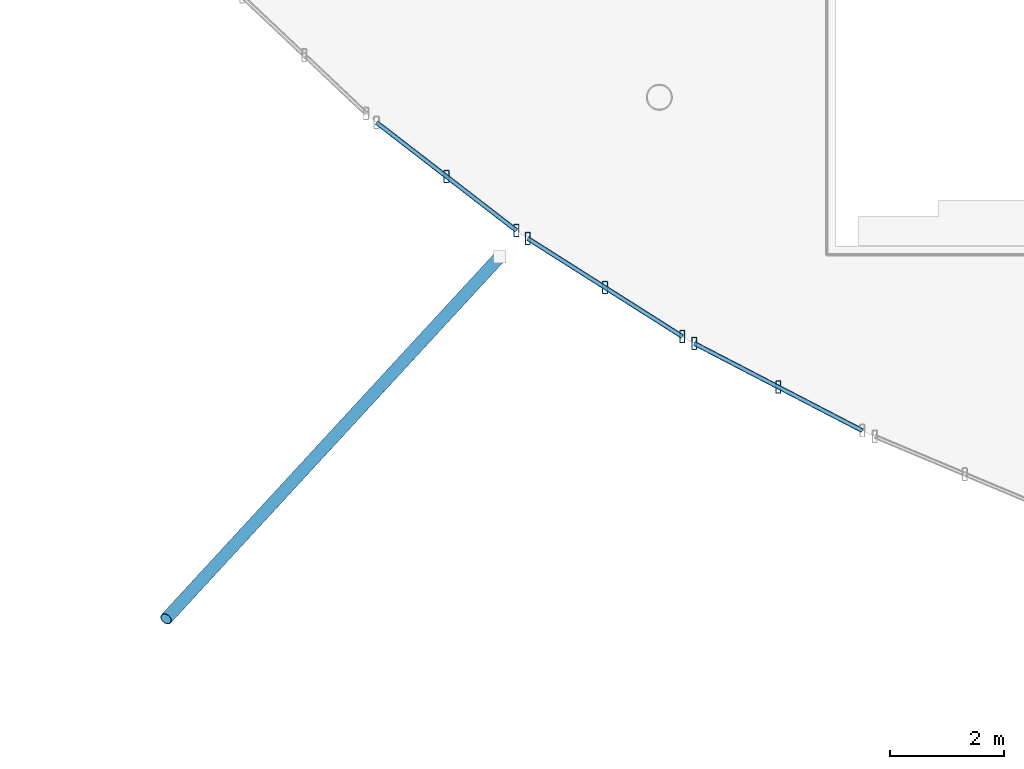
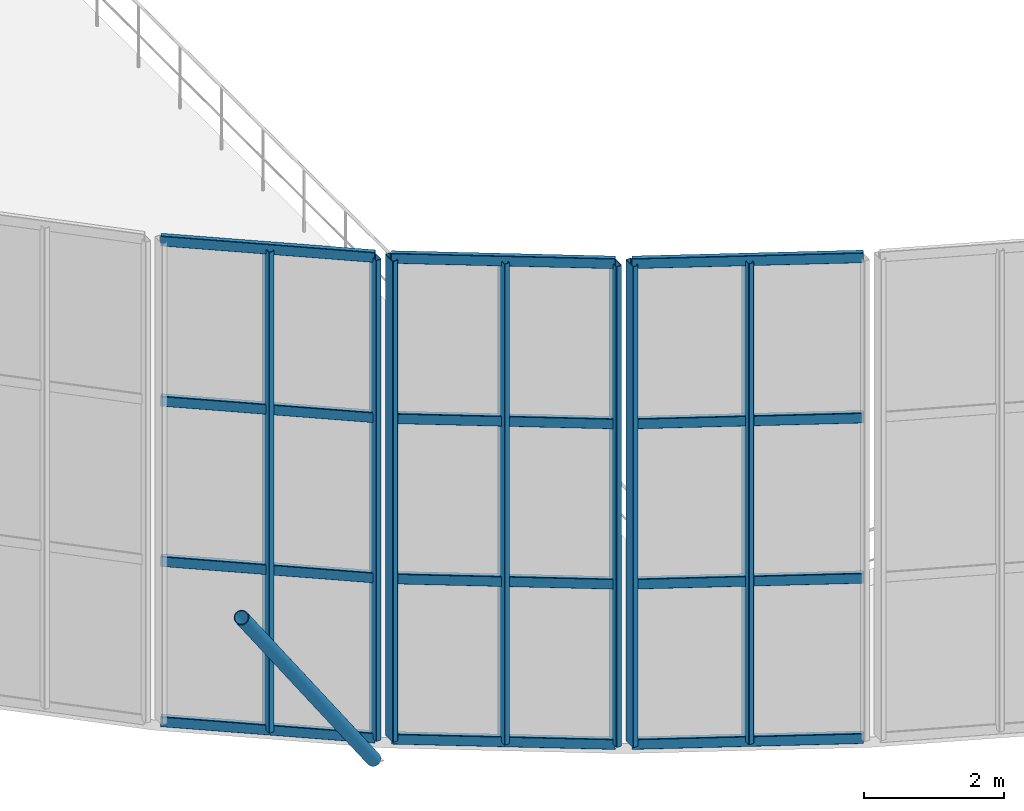
# One storey, part 20 of 109: 20 members, 3 elements without a shape of their own.
"""IFC4 building model written with IfcOpenShell, lengths in metres."""

from ifc_helpers import new_model, si_unit, derived_unit, direction, frame, origin, origin_2d, place, context, subcontext, project, spatial, hollow_rectangle, hollow_circle, extrude, material, material_profile, profile_set, type_object, element, aggregate, save


model = new_model("IFC4")

# Units and contexts
model_context = context("Model", 3, precision=1e-05, world=origin(), true_north=direction((0.0, 1.0)))
body_context = subcontext(model_context, "Body", "Model", "MODEL_VIEW")
ifc_project = project(units=[si_unit("LENGTHUNIT", "METRE"), si_unit("AREAUNIT", "SQUARE_METRE"), si_unit("VOLUMEUNIT", "CUBIC_METRE"), si_unit("PLANEANGLEUNIT", "RADIAN"), si_unit("MASSUNIT", "GRAM", prefix="KILO"), derived_unit("THERMALTRANSMITTANCEUNIT", [(si_unit("MASSUNIT", "GRAM", prefix="KILO"), 1), (si_unit("TIMEUNIT", "SECOND"), -3), (si_unit("THERMODYNAMICTEMPERATUREUNIT", "KELVIN"), -1)])], contexts=[model_context])

# Site, building, storey
site_placement = place(None, origin())
site = spatial("IfcSite", under=ifc_project, at=site_placement, CompositionType="ELEMENT")
building_placement = place(site_placement, origin())
building = spatial("IfcBuilding", under=site, at=building_placement, Name="Kharveza Railside Sports Centre", CompositionType="ELEMENT")
storey_placement = place(building_placement, frame((0.0, 0.0, 4.5)))
storey = spatial("IfcBuildingStorey", under=building, at=storey_placement, Name="L01", CompositionType="ELEMENT", Elevation=4.5)

# Curtain wall, members
ifc_material_1 = material(Name="Low-E solar-control laminated glass", Category="glass")
curtain_wall_type = type_object("IfcCurtainWallType", Name="CW-DR01", PredefinedType="NOTDEFINED", material=ifc_material_1)
curtain_wall_1_placement = place(storey_placement, origin())
curtain_wall_1 = element("IfcCurtainWall", 1, at=curtain_wall_1_placement, inside=storey, type_object=curtain_wall_type, Name="CW-DRUM-40", PredefinedType="NOTDEFINED")
ifc_material_2 = material(Name="Anodised aluminium 6063-T6", Category="aluminium")
ifc_material_profile_1 = material_profile(ifc_material_2, hollow_rectangle(XDim=0.090087890625, YDim=0.219970703125, WallThickness=0.008056640625, InnerFilletRadius=0.008056640625, OuterFilletRadius=0.01611328125, at=origin_2d()), Name="RHS 90x220x8.0")
ifc_profile_set_1 = profile_set([ifc_material_profile_1], Name="Anodised aluminium 6063-T6")
member_type_1 = type_object("IfcMemberType", Name="CW-ML01", PredefinedType="MULLION", material=ifc_profile_set_1)
member_1_placement = place(storey_placement, frame((24.997802734375, 31.618896484375, 0.0), z_axis=(0.0, 0.0, 1.0), x_axis=(1.0, 0.0, 0.0)))
member_1 = element("IfcMember", 2, at=member_1_placement, type_object=member_type_1, Name="CW-DRUM-40-ML2", PredefinedType="MULLION", context=body_context, shape_type="SweptSolid", body=[
    extrude(hollow_rectangle(XDim=0.090087890625, YDim=0.219970703125, WallThickness=0.008056640625, InnerFilletRadius=0.008056640625, OuterFilletRadius=0.01611328125, at=origin_2d()), origin(), (0.0, 0.0, 1.0), 8.39990234375),
])
member_2_placement = place(storey_placement, frame((26.220703125, 30.67431640625, 0.0), z_axis=(0.0, 0.0, 1.0), x_axis=(1.0, 0.0, 0.0)))
member_2 = element("IfcMember", 3, at=member_2_placement, type_object=member_type_1, Name="CW-DRUM-40-ML3", PredefinedType="MULLION", context=body_context, shape_type="SweptSolid", body=[
    extrude(hollow_rectangle(XDim=0.090087890625, YDim=0.219970703125, WallThickness=0.008056640625, InnerFilletRadius=0.008056640625, OuterFilletRadius=0.01611328125, at=origin_2d()), origin(), (0.0, 0.0, 1.0), 8.39990234375),
])

curtain_wall_2_placement = place(storey_placement, origin())
curtain_wall_2 = element("IfcCurtainWall", 4, at=curtain_wall_2_placement, inside=storey, type_object=curtain_wall_type, Name="CW-DRUM-41", PredefinedType="NOTDEFINED")
member_3_placement = place(storey_placement, frame((26.4169921875, 30.53662109375, 0.0), z_axis=(0.0, 0.0, 1.0), x_axis=(1.0, 0.0, 0.0)))
member_3 = element("IfcMember", 5, at=member_3_placement, type_object=member_type_1, Name="CW-DRUM-41-ML1", PredefinedType="MULLION", context=body_context, shape_type="SweptSolid", body=[
    extrude(hollow_rectangle(XDim=0.090087890625, YDim=0.219970703125, WallThickness=0.008056640625, InnerFilletRadius=0.008056640625, OuterFilletRadius=0.01611328125, at=origin_2d()), origin(), (0.0, 0.0, 1.0), 8.39990234375),
])
member_4_placement = place(storey_placement, frame((27.77001953125, 29.678466796875, 0.0), z_axis=(0.0, 0.0, 1.0), x_axis=(1.0, 0.0, 0.0)))
member_4 = element("IfcMember", 6, at=member_4_placement, type_object=member_type_1, Name="CW-DRUM-41-ML2", PredefinedType="MULLION", context=body_context, shape_type="SweptSolid", body=[
    extrude(hollow_rectangle(XDim=0.090087890625, YDim=0.219970703125, WallThickness=0.008056640625, InnerFilletRadius=0.008056640625, OuterFilletRadius=0.01611328125, at=origin_2d()), origin(), (0.0, 0.0, 1.0), 8.39990234375),
])
member_5_placement = place(storey_placement, frame((29.122802734375, 28.820068359375, 0.0), z_axis=(0.0, 0.0, 1.0), x_axis=(1.0, 0.0, 0.0)))
member_5 = element("IfcMember", 7, at=member_5_placement, type_object=member_type_1, Name="CW-DRUM-41-ML3", PredefinedType="MULLION", context=body_context, shape_type="SweptSolid", body=[
    extrude(hollow_rectangle(XDim=0.090087890625, YDim=0.219970703125, WallThickness=0.008056640625, InnerFilletRadius=0.008056640625, OuterFilletRadius=0.01611328125, at=origin_2d()), origin(), (0.0, 0.0, 1.0), 8.39990234375),
])

curtain_wall_3_placement = place(storey_placement, origin())
curtain_wall_3 = element("IfcCurtainWall", 8, at=curtain_wall_3_placement, inside=storey, type_object=curtain_wall_type, Name="CW-DRUM-42", PredefinedType="NOTDEFINED")
member_6_placement = place(storey_placement, frame((29.330810546875, 28.700439453125, 0.0), z_axis=(0.0, 0.0, 1.0), x_axis=(1.0, 0.0, 0.0)))
member_6 = element("IfcMember", 9, at=member_6_placement, type_object=member_type_1, Name="CW-DRUM-42-ML1", PredefinedType="MULLION", context=body_context, shape_type="SweptSolid", body=[
    extrude(hollow_rectangle(XDim=0.090087890625, YDim=0.219970703125, WallThickness=0.008056640625, InnerFilletRadius=0.008056640625, OuterFilletRadius=0.01611328125, at=origin_2d()), origin(), (0.0, 0.0, 1.0), 8.39990234375),
])
member_7_placement = place(storey_placement, frame((30.80078125, 27.937255859375, 0.0), z_axis=(0.0, 0.0, 1.0), x_axis=(1.0, 0.0, 0.0)))
member_7 = element("IfcMember", 10, at=member_7_placement, type_object=member_type_1, Name="CW-DRUM-42-ML2", PredefinedType="MULLION", context=body_context, shape_type="SweptSolid", body=[
    extrude(hollow_rectangle(XDim=0.090087890625, YDim=0.219970703125, WallThickness=0.008056640625, InnerFilletRadius=0.008056640625, OuterFilletRadius=0.01611328125, at=origin_2d()), origin(), (0.0, 0.0, 1.0), 8.39990234375),
])

# Member
ifc_material_profile_2 = material_profile(ifc_material_2, hollow_rectangle(XDim=0.080078125, YDim=0.179931640625, WallThickness=0.00634765625, InnerFilletRadius=0.00634765625, OuterFilletRadius=0.0126953125, at=origin_2d()), Name="RHS 80x180x6.3")
ifc_profile_set_2 = profile_set([ifc_material_profile_2], Name="Anodised aluminium 6063-T6")
member_type_2 = type_object("IfcMemberType", Name="CW-TR01", PredefinedType="USERDEFINED", material=ifc_profile_set_2)
member_8_placement = place(storey_placement, frame((23.774658203125, 32.563720703125, 0.0), z_axis=(0.791397903332, -0.611301364796, 0.0), x_axis=(0.611301364796, 0.791397903332, 0.0)))
member_8 = element("IfcMember", 11, at=member_8_placement, type_object=member_type_2, Name="CW-DRUM-40-TR1", ObjectType="TRANSOM", PredefinedType="USERDEFINED", context=body_context, shape_type="SweptSolid", body=[
    extrude(hollow_rectangle(XDim=0.080078125, YDim=0.179931640625, WallThickness=0.00634765625, InnerFilletRadius=0.00634765625, OuterFilletRadius=0.0126953125, at=origin_2d()), origin(), (0.0, 0.0, 1.0), 3.0908203125),
])

member_9_placement = place(storey_placement, frame((23.774658203125, 32.563720703125, 2.800048828125), z_axis=(0.791397903332, -0.611301364796, 0.0), x_axis=(0.611301364796, 0.791397903332, 0.0)))
member_9 = element("IfcMember", 12, at=member_9_placement, type_object=member_type_2, Name="CW-DRUM-40-TR2", ObjectType="TRANSOM", PredefinedType="USERDEFINED", context=body_context, shape_type="SweptSolid", body=[
    extrude(hollow_rectangle(XDim=0.080078125, YDim=0.179931640625, WallThickness=0.00634765625, InnerFilletRadius=0.00634765625, OuterFilletRadius=0.0126953125, at=origin_2d()), origin(), (0.0, 0.0, 1.0), 3.0908203125),
])

member_10_placement = place(storey_placement, frame((23.774658203125, 32.563720703125, 5.60009765625), z_axis=(0.791397903332, -0.611301364796, 0.0), x_axis=(0.611301364796, 0.791397903332, 0.0)))
member_10 = element("IfcMember", 13, at=member_10_placement, type_object=member_type_2, Name="CW-DRUM-40-TR3", ObjectType="TRANSOM", PredefinedType="USERDEFINED", context=body_context, shape_type="SweptSolid", body=[
    extrude(hollow_rectangle(XDim=0.080078125, YDim=0.179931640625, WallThickness=0.00634765625, InnerFilletRadius=0.00634765625, OuterFilletRadius=0.0126953125, at=origin_2d()), origin(), (0.0, 0.0, 1.0), 3.0908203125),
])

member_11_placement = place(storey_placement, frame((23.774658203125, 32.563720703125, 8.39990234375), z_axis=(0.791397903332, -0.611301364796, 0.0), x_axis=(0.611301364796, 0.791397903332, 0.0)))
member_11 = element("IfcMember", 14, at=member_11_placement, type_object=member_type_2, Name="CW-DRUM-40-TR4", ObjectType="TRANSOM", PredefinedType="USERDEFINED", context=body_context, shape_type="SweptSolid", body=[
    extrude(hollow_rectangle(XDim=0.080078125, YDim=0.179931640625, WallThickness=0.00634765625, InnerFilletRadius=0.00634765625, OuterFilletRadius=0.0126953125, at=origin_2d()), origin(), (0.0, 0.0, 1.0), 3.0908203125),
])

aggregate(curtain_wall_1, [member_1, member_2, member_8, member_9, member_10, member_11])

member_12_placement = place(storey_placement, frame((26.4169921875, 30.53662109375, 0.0), z_axis=(0.844413594372, -0.535691778582, 0.0), x_axis=(0.535691778582, 0.844413594372, 0.0)))
member_12 = element("IfcMember", 15, at=member_12_placement, type_object=member_type_2, Name="CW-DRUM-41-TR1", ObjectType="TRANSOM", PredefinedType="USERDEFINED", context=body_context, shape_type="SweptSolid", body=[
    extrude(hollow_rectangle(XDim=0.080078125, YDim=0.179931640625, WallThickness=0.00634765625, InnerFilletRadius=0.00634765625, OuterFilletRadius=0.0126953125, at=origin_2d()), origin(), (0.0, 0.0, 1.0), 3.204345703125),
])

member_13_placement = place(storey_placement, frame((26.4169921875, 30.53662109375, 2.800048828125), z_axis=(0.844413594372, -0.535691778582, 0.0), x_axis=(0.535691778582, 0.844413594372, 0.0)))
member_13 = element("IfcMember", 16, at=member_13_placement, type_object=member_type_2, Name="CW-DRUM-41-TR2", ObjectType="TRANSOM", PredefinedType="USERDEFINED", context=body_context, shape_type="SweptSolid", body=[
    extrude(hollow_rectangle(XDim=0.080078125, YDim=0.179931640625, WallThickness=0.00634765625, InnerFilletRadius=0.00634765625, OuterFilletRadius=0.0126953125, at=origin_2d()), origin(), (0.0, 0.0, 1.0), 3.204345703125),
])

member_14_placement = place(storey_placement, frame((26.4169921875, 30.53662109375, 5.60009765625), z_axis=(0.844413594372, -0.535691778582, 0.0), x_axis=(0.535691778582, 0.844413594372, 0.0)))
member_14 = element("IfcMember", 17, at=member_14_placement, type_object=member_type_2, Name="CW-DRUM-41-TR3", ObjectType="TRANSOM", PredefinedType="USERDEFINED", context=body_context, shape_type="SweptSolid", body=[
    extrude(hollow_rectangle(XDim=0.080078125, YDim=0.179931640625, WallThickness=0.00634765625, InnerFilletRadius=0.00634765625, OuterFilletRadius=0.0126953125, at=origin_2d()), origin(), (0.0, 0.0, 1.0), 3.204345703125),
])

member_15_placement = place(storey_placement, frame((26.4169921875, 30.53662109375, 8.39990234375), z_axis=(0.844413594372, -0.535691778582, 0.0), x_axis=(0.535691778582, 0.844413594372, 0.0)))
member_15 = element("IfcMember", 18, at=member_15_placement, type_object=member_type_2, Name="CW-DRUM-41-TR4", ObjectType="TRANSOM", PredefinedType="USERDEFINED", context=body_context, shape_type="SweptSolid", body=[
    extrude(hollow_rectangle(XDim=0.080078125, YDim=0.179931640625, WallThickness=0.00634765625, InnerFilletRadius=0.00634765625, OuterFilletRadius=0.0126953125, at=origin_2d()), origin(), (0.0, 0.0, 1.0), 3.204345703125),
])

aggregate(curtain_wall_2, [member_3, member_4, member_5, member_12, member_13, member_14, member_15])

member_16_placement = place(storey_placement, frame((29.330810546875, 28.700439453125, 0.0), z_axis=(0.887513465688, -0.460781779395, 0.0), x_axis=(0.460781779395, 0.887513465688, 0.0)))
member_16 = element("IfcMember", 19, at=member_16_placement, type_object=member_type_2, Name="CW-DRUM-42-TR1", ObjectType="TRANSOM", PredefinedType="USERDEFINED", context=body_context, shape_type="SweptSolid", body=[
    extrude(hollow_rectangle(XDim=0.080078125, YDim=0.179931640625, WallThickness=0.00634765625, InnerFilletRadius=0.00634765625, OuterFilletRadius=0.0126953125, at=origin_2d()), origin(), (0.0, 0.0, 1.0), 3.3125),
])

member_17_placement = place(storey_placement, frame((29.330810546875, 28.700439453125, 2.800048828125), z_axis=(0.887513465688, -0.460781779395, 0.0), x_axis=(0.460781779395, 0.887513465688, 0.0)))
member_17 = element("IfcMember", 20, at=member_17_placement, type_object=member_type_2, Name="CW-DRUM-42-TR2", ObjectType="TRANSOM", PredefinedType="USERDEFINED", context=body_context, shape_type="SweptSolid", body=[
    extrude(hollow_rectangle(XDim=0.080078125, YDim=0.179931640625, WallThickness=0.00634765625, InnerFilletRadius=0.00634765625, OuterFilletRadius=0.0126953125, at=origin_2d()), origin(), (0.0, 0.0, 1.0), 3.3125),
])

member_18_placement = place(storey_placement, frame((29.330810546875, 28.700439453125, 5.60009765625), z_axis=(0.887513465688, -0.460781779395, 0.0), x_axis=(0.460781779395, 0.887513465688, 0.0)))
member_18 = element("IfcMember", 21, at=member_18_placement, type_object=member_type_2, Name="CW-DRUM-42-TR3", ObjectType="TRANSOM", PredefinedType="USERDEFINED", context=body_context, shape_type="SweptSolid", body=[
    extrude(hollow_rectangle(XDim=0.080078125, YDim=0.179931640625, WallThickness=0.00634765625, InnerFilletRadius=0.00634765625, OuterFilletRadius=0.0126953125, at=origin_2d()), origin(), (0.0, 0.0, 1.0), 3.3125),
])

member_19_placement = place(storey_placement, frame((29.330810546875, 28.700439453125, 8.39990234375), z_axis=(0.887513465688, -0.460781779395, 0.0), x_axis=(0.460781779395, 0.887513465688, 0.0)))
member_19 = element("IfcMember", 22, at=member_19_placement, type_object=member_type_2, Name="CW-DRUM-42-TR4", ObjectType="TRANSOM", PredefinedType="USERDEFINED", context=body_context, shape_type="SweptSolid", body=[
    extrude(hollow_rectangle(XDim=0.080078125, YDim=0.179931640625, WallThickness=0.00634765625, InnerFilletRadius=0.00634765625, OuterFilletRadius=0.0126953125, at=origin_2d()), origin(), (0.0, 0.0, 1.0), 3.3125),
])

aggregate(curtain_wall_3, [member_6, member_7, member_16, member_17, member_18, member_19])

ifc_material_3 = material(Name="Steel S355J2", Category="steel")
ifc_material_profile_3 = material_profile(ifc_material_3, hollow_circle(Radius=0.109619140625, WallThickness=0.012451171875, at=origin_2d()), Name="CHS 219.1x12.5")
ifc_profile_set_3 = profile_set([ifc_material_profile_3], Name="Steel S355J2")
member_type_3 = type_object("IfcMemberType", Name="MB-ST01", PredefinedType="STRUT", material=ifc_profile_set_3)
member_20_placement = place(storey_placement, frame((25.9267578125, 30.212158203125, 0.0), z_axis=(-0.486453896254, -0.527741604532, 0.696312721172), x_axis=(0.735283928712, -0.67775920811, 0.0)))
element("IfcMember", 23, at=member_20_placement, inside=storey, type_object=member_type_3, Name="MB-RAKER-LID-11", PredefinedType="STRUT", context=body_context, shape_type="SweptSolid", body=[
    extrude(hollow_circle(Radius=0.109619140625, WallThickness=0.012451171875, at=origin_2d()), origin(), (0.0, 0.0, 1.0), 11.991943359375),
])

save(model, "model.ifc")
